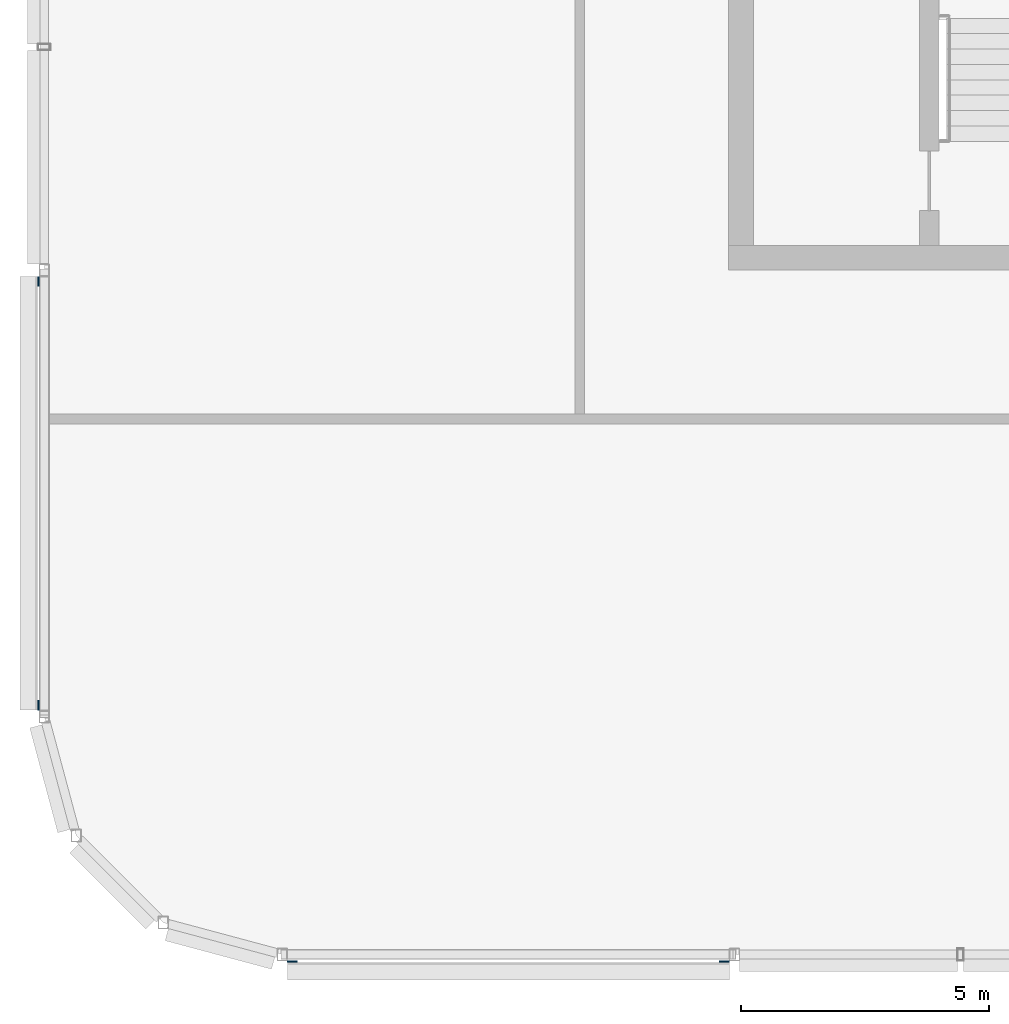
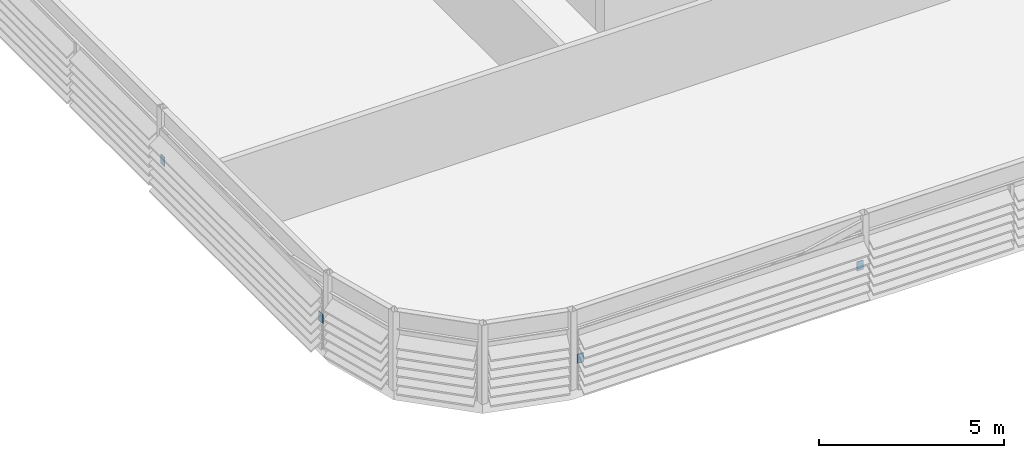
# One storey, part 17 of 27: 4 discrete accessories.
"""IFC4 building model written with IfcOpenShell, lengths in metres."""

from ifc_helpers import new_model, si_unit, direction, frame, origin, origin_2d, place, context, subcontext, project, spatial, rectangle, extrude, material, type_object, element, save


model = new_model("IFC4")

# Units and contexts
model_context = context("Model", 3, precision=1e-05, world=origin(), true_north=direction((0.0, 1.0)))
body_context = subcontext(model_context, "Body", "Model", "MODEL_VIEW")
ifc_project = project(units=[si_unit("LENGTHUNIT", "METRE"), si_unit("AREAUNIT", "SQUARE_METRE"), si_unit("VOLUMEUNIT", "CUBIC_METRE"), si_unit("PLANEANGLEUNIT", "RADIAN"), si_unit("MASSUNIT", "GRAM", prefix="KILO")], contexts=[model_context])

# Site, building, storey
site_placement = place(None, origin())
site = spatial("IfcSite", under=ifc_project, at=site_placement, CompositionType="ELEMENT")
building_placement = place(site_placement, origin())
building = spatial("IfcBuilding", under=site, at=building_placement, Name="Madar Terraces", CompositionType="ELEMENT")
storey_placement = place(building_placement, frame((0.0, 0.0, 314.300048828125)))
storey = spatial("IfcBuildingStorey", under=building, at=storey_placement, Name="L81", CompositionType="ELEMENT", Elevation=314.300048828125)

# Discrete accessories
ifc_material = material(Name="Steel, galvanised", Category="steel")
discrete_accessory_type = type_object("IfcDiscreteAccessoryType", Name="Louvre bank bracket", PredefinedType="BRACKET", material=ifc_material)
for number, where, z_axis, x_axis, name in (
    (1, (6.20166015625, 1.05810546875, 0.84912109375), (0.0, 0.0, 1.0), (1.0, 0.0, 0.0), "Louvre bank bracket"),
    (2, (14.91845703125, 1.05810546875, 0.84912109375), (0.0, 0.0, 1.0), (1.0, 0.0, 0.0), "Louvre bank bracket"),
    (3, (1.08349609375, 14.77294921875, 0.84912109375), (0.0, 0.0, 1.0), (0.0, -1.0, 0.0), "Louvre bank bracket"),
    (4, (1.08349609375, 6.22705078125, 0.84912109375), (0.0, 0.0, 1.0), (0.0, -1.0, 0.0), "Louvre bank bracket"),
):
    element("IfcDiscreteAccessory", number, at=place(storey_placement, frame(where, z_axis=z_axis, x_axis=x_axis)), inside=storey, type_object=discrete_accessory_type, Name=name, PredefinedType="BRACKET", context=body_context, shape_type="SweptSolid", body=[
        extrude(rectangle(XDim=0.199951171875, YDim=0.030029296875, at=origin_2d()), origin(), (0.0, 0.0, 1.0), 0.300048828125),
    ])

save(model, "model.ifc")
